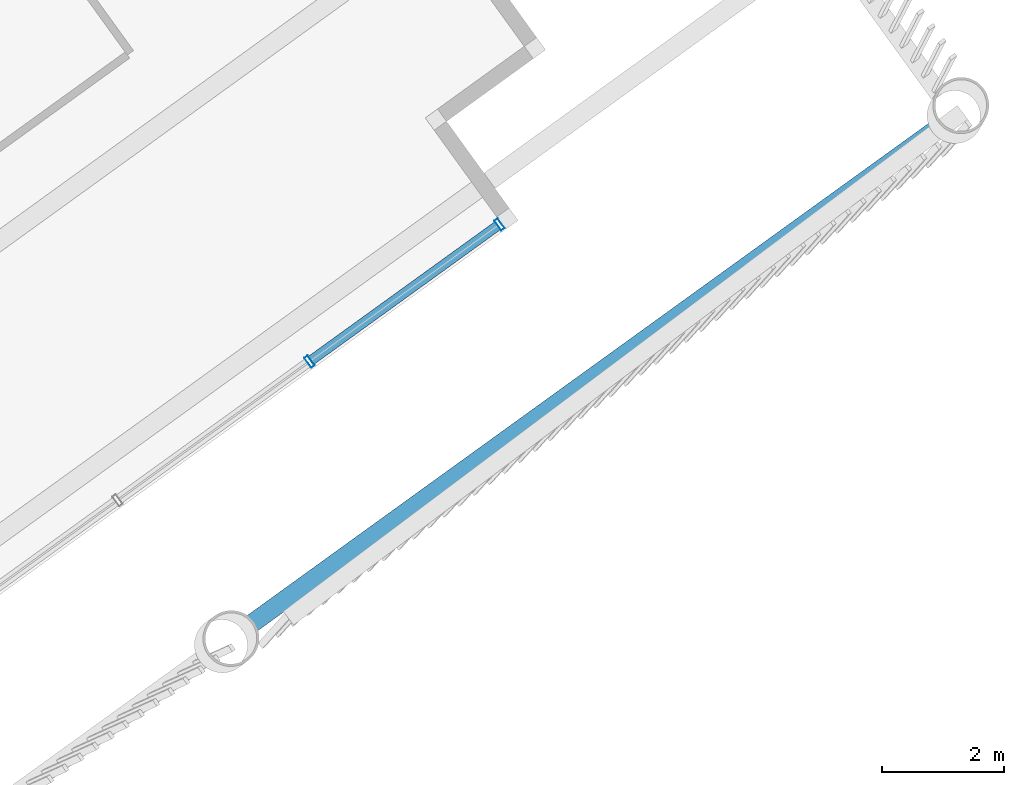
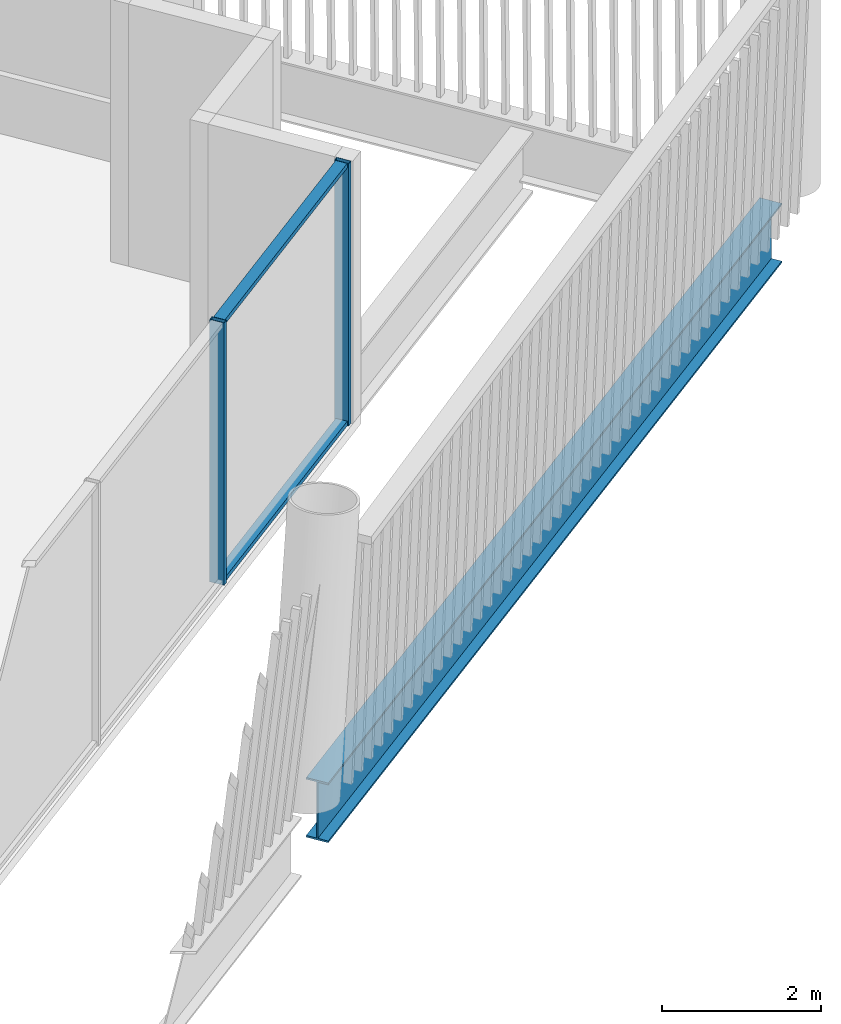
# One storey, part 14 of 27: 4 members, 1 beam, 1 element without a shape of its own.
"""IFC4 building model written with IfcOpenShell, lengths in metres."""

from ifc_helpers import new_model, si_unit, direction, frame, origin, origin_2d, place, context, subcontext, project, spatial, hollow_rectangle, i_section, extrude, material, layer, layer_set, material_profile, profile_set, type_object, element, aggregate, save


model = new_model("IFC4")

# Units and contexts
model_context = context("Model", 3, precision=1e-05, world=origin(), true_north=direction((0.0, 1.0)))
body_context = subcontext(model_context, "Body", "Model", "MODEL_VIEW")
ifc_project = project(units=[si_unit("LENGTHUNIT", "METRE"), si_unit("AREAUNIT", "SQUARE_METRE"), si_unit("VOLUMEUNIT", "CUBIC_METRE"), si_unit("PLANEANGLEUNIT", "RADIAN"), si_unit("MASSUNIT", "GRAM", prefix="KILO")], contexts=[model_context])

# Site, building, storey
site_placement = place(None, origin())
site = spatial("IfcSite", under=ifc_project, at=site_placement, CompositionType="ELEMENT")
building_placement = place(site_placement, origin())
building = spatial("IfcBuilding", under=site, at=building_placement, Name="Tarsis Ring Headquarters", CompositionType="ELEMENT")
storey_placement = place(building_placement, frame((0.0, 0.0, 373.39990234375)))
storey = spatial("IfcBuildingStorey", under=building, at=storey_placement, Name="L88", CompositionType="ELEMENT", Elevation=373.39990234375)

# Curtain wall, members
ifc_material_1 = material(Name="Aluminium curtain wall", Category="aluminium")
ifc_layer = layer(ifc_material_1, 0.199951171875)
ifc_layer_set = layer_set([ifc_layer], Name="Curtain wall executive tip")
curtain_wall_type = type_object("IfcCurtainWallType", Name="Curtain wall executive tip", PredefinedType="NOTDEFINED", material=ifc_layer_set)
curtain_wall_placement = place(storey_placement, origin())
curtain_wall = element("IfcCurtainWall", 1, at=curtain_wall_placement, inside=storey, type_object=curtain_wall_type, Name="Curtain wall L88-11", PredefinedType="NOTDEFINED")
ifc_material_2 = material(Name="Aluminium mullion", Category="aluminium")
ifc_material_profile_1 = material_profile(ifc_material_2, hollow_rectangle(XDim=0.199951171875, YDim=0.070068359375, WallThickness=0.0048828125, at=origin_2d()), Name="RHS 200x70x5")
ifc_profile_set_1 = profile_set([ifc_material_profile_1], Name="Aluminium mullion")
member_type_1 = type_object("IfcMemberType", Name="Curtain wall mullion executive tip RHS 200x70x5", PredefinedType="MULLION", material=ifc_profile_set_1)
member_1_placement = place(storey_placement, frame((21.804931640625, -23.57080078125, 0.0), z_axis=(0.0, 0.0, 1.0), x_axis=(-0.58552372668, 0.810655269208, 0.0)))
member_1 = element("IfcMember", 2, at=member_1_placement, type_object=member_type_1, Name="CW-E mullion 4", PredefinedType="MULLION", context=body_context, shape_type="SweptSolid", body=[
    extrude(hollow_rectangle(XDim=0.199951171875, YDim=0.070068359375, WallThickness=0.0048828125, at=origin_2d()), origin(), (0.0, 0.0, 1.0), 4.0400390625),
])
member_2_placement = place(storey_placement, frame((24.917724609375, -21.322265625, 0.0), z_axis=(0.0, 0.0, 1.0), x_axis=(-0.58552372668, 0.810655269208, 0.0)))
member_2 = element("IfcMember", 3, at=member_2_placement, type_object=member_type_1, Name="CW-E mullion 5", PredefinedType="MULLION", context=body_context, shape_type="SweptSolid", body=[
    extrude(hollow_rectangle(XDim=0.199951171875, YDim=0.070068359375, WallThickness=0.0048828125, at=origin_2d()), origin(), (0.0, 0.0, 1.0), 4.0400390625),
])
ifc_material_3 = material(Name="Aluminium transom", Category="aluminium")
ifc_material_profile_2 = material_profile(ifc_material_3, hollow_rectangle(XDim=0.159912109375, YDim=0.070068359375, WallThickness=0.0048828125, at=origin_2d()), Name="RHS 160x70x5")
ifc_profile_set_2 = profile_set([ifc_material_profile_2], Name="Aluminium transom")
member_type_2 = type_object("IfcMemberType", Name="Curtain wall transom executive tip RHS 160x70x5", PredefinedType="USERDEFINED", material=ifc_profile_set_2)
member_3_placement = place(storey_placement, frame((21.833251953125, -23.55029296875, 0.03515625), z_axis=(0.810641659163, 0.585542569272, 0.0), x_axis=(-0.585542569272, 0.810641659163, 0.0)))
member_3 = element("IfcMember", 4, at=member_3_placement, type_object=member_type_2, Name="CW-E transom 4.1", ObjectType="TRANSOM", PredefinedType="USERDEFINED", context=body_context, shape_type="SweptSolid", body=[
    extrude(hollow_rectangle(XDim=0.159912109375, YDim=0.070068359375, WallThickness=0.0048828125, at=origin_2d()), origin(), (0.0, 0.0, 1.0), 3.77001953125),
])
member_4_placement = place(storey_placement, frame((21.833251953125, -23.55029296875, 4.005126953125), z_axis=(0.810641659163, 0.585542569272, 0.0), x_axis=(-0.585542569272, 0.810641659163, 0.0)))
member_4 = element("IfcMember", 5, at=member_4_placement, type_object=member_type_2, Name="CW-E transom 4.2", ObjectType="TRANSOM", PredefinedType="USERDEFINED", context=body_context, shape_type="SweptSolid", body=[
    extrude(hollow_rectangle(XDim=0.159912109375, YDim=0.070068359375, WallThickness=0.0048828125, at=origin_2d()), origin(), (0.0, 0.0, 1.0), 3.77001953125),
])
aggregate(curtain_wall, [member_1, member_2, member_3, member_4])

# Beam
ifc_material_4 = material(Name="Structural steel S355", Category="steel")
ifc_material_profile_3 = material_profile(ifc_material_4, i_section(OverallWidth=0.3046875, OverallDepth=0.91943359375, WebThickness=0.017333984375, FlangeThickness=0.02783203125, at=origin_2d()), Name="W36x170")
ifc_profile_set_3 = profile_set([ifc_material_profile_3], Name="Structural steel S355")
beam_type = type_object("IfcBeamType", Name="XG Ring girder W36x170", PredefinedType="BEAM", material=ifc_profile_set_3)
beam_placement = place(storey_placement, frame((20.709716796875, -27.969970703125, -0.459716796875), z_axis=(0.810648828149, 0.585532644197, 0.0), x_axis=(-0.585532644197, 0.810648828149, 0.0)))
element("IfcBeam", 6, at=beam_placement, inside=storey, type_object=beam_type, Name="Ring girder XG4", PredefinedType="BEAM", context=body_context, shape_type="SweptSolid", body=[
    extrude(i_section(OverallWidth=0.3046875, OverallDepth=0.91943359375, WebThickness=0.017333984375, FlangeThickness=0.02783203125, at=origin_2d()), origin(), (0.0, 0.0, 1.0), 13.97705078125),
])

save(model, "model.ifc")
